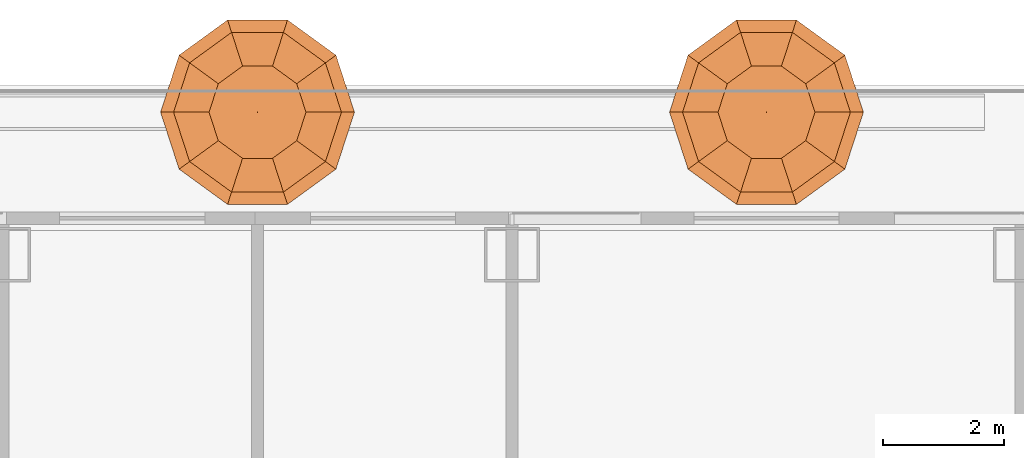
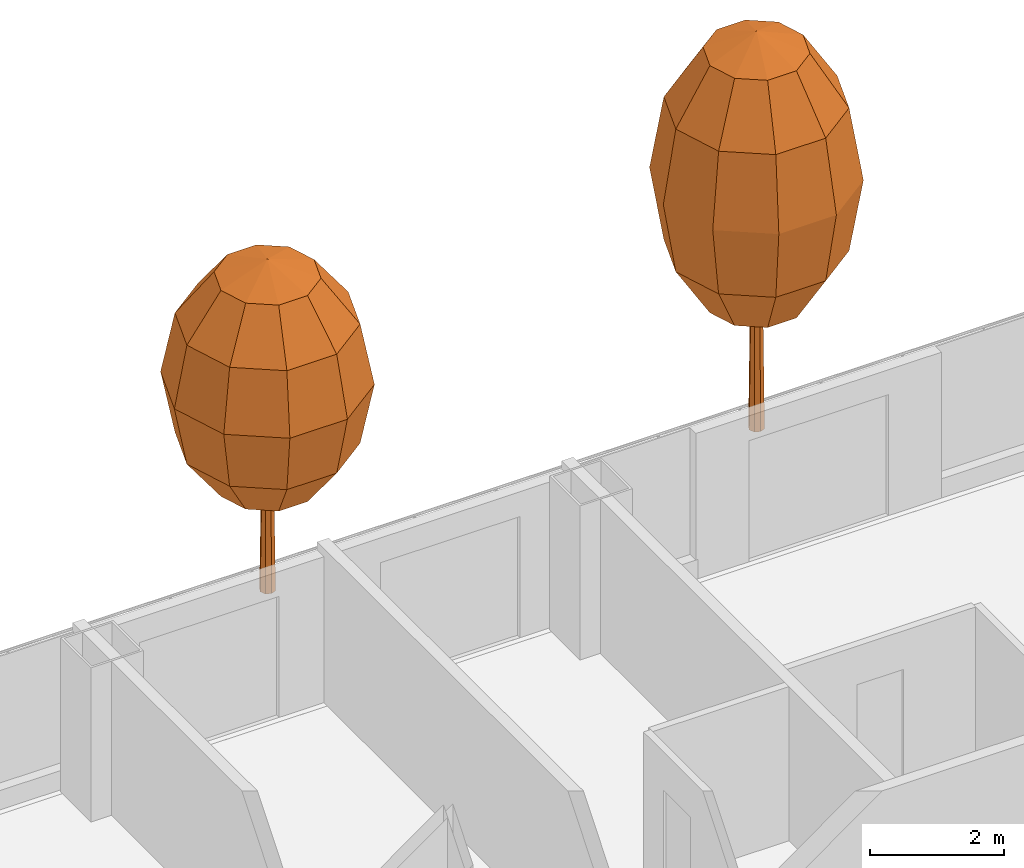
# One storey, part 36 of 36: 2 geographic elements.
"""IFC4 building model written with IfcOpenShell, lengths in metres."""

from ifc_helpers import new_model, si_unit, direction, frame, origin, place, context, subcontext, project, spatial, triangles, material, type_object, element, save


model = new_model("IFC4")

# Units and contexts
model_context = context("Model", 3, precision=1e-05, world=origin(), true_north=direction((0.0, 1.0)))
body_context = subcontext(model_context, "Body", "Model", "MODEL_VIEW")
ifc_project = project(units=[si_unit("LENGTHUNIT", "METRE"), si_unit("AREAUNIT", "SQUARE_METRE"), si_unit("VOLUMEUNIT", "CUBIC_METRE"), si_unit("PLANEANGLEUNIT", "RADIAN"), si_unit("MASSUNIT", "GRAM", prefix="KILO")], contexts=[model_context])

# Site, building, storey
site_placement = place(None, origin())
site = spatial("IfcSite", under=ifc_project, at=site_placement, CompositionType="ELEMENT")
building_placement = place(site_placement, origin())
building = spatial("IfcBuilding", under=site, at=building_placement, Name="Hakoniwa Tower and Hamabe Station Hall", CompositionType="ELEMENT")
storey_placement = place(building_placement, frame((0.0, 0.0, 26.199951171875)))
storey = spatial("IfcBuildingStorey", under=building, at=storey_placement, Name="L06", CompositionType="ELEMENT", Elevation=26.199951171875)

# Geographic elements
ifc_material_1 = material(Name="Tree foliage")
geographic_element_type_1 = type_object("IfcGeographicElementType", Name="Japanese maple 7.2 m", PredefinedType="USERDEFINED", material=ifc_material_1)
geographic_element_1_placement = place(storey_placement, frame((37.800048828125, 21.949951171875, 0.900146484375)))
element("IfcGeographicElement", 1, at=geographic_element_1_placement, inside=storey, type_object=geographic_element_type_1, Name="Japanese maple 7-2 m", ObjectType="TREE", PredefinedType="USERDEFINED", context=body_context, shape_type="Tessellation", body=[
    triangles([(0.125, 0.0, 0.0), (0.08837890625, 0.08837890625, 0.0), (0.0, 0.125, 0.0), (-0.08837890625, 0.08837890625, 0.0), (-0.125, 0.0, 0.0), (-0.08837890625, -0.08837890625, 0.0), (0.0, -0.125, 0.0), (0.08837890625, -0.08837890625, 0.0), (0.074951171875, 0.0, 4.348876953125), (0.052978515625, 0.052978515625, 4.348876953125), (0.0, 0.074951171875, 4.348876953125), (-0.052978515625, 0.052978515625, 4.348876953125), (-0.074951171875, 0.0, 4.348876953125), (-0.052978515625, -0.052978515625, 4.348876953125), (0.0, -0.074951171875, 4.348876953125), (0.052978515625, -0.052978515625, 4.348876953125), (0.0, 0.0, 0.0), (0.0, 0.0, 4.348876953125)], [[1, 2, 10], [1, 10, 9], [17, 2, 1], [18, 9, 10], [2, 3, 11], [2, 11, 10], [17, 3, 2], [18, 10, 11], [3, 4, 12], [3, 12, 11], [17, 4, 3], [18, 11, 12], [4, 5, 13], [4, 13, 12], [17, 5, 4], [18, 12, 13], [5, 6, 14], [5, 14, 13], [17, 6, 5], [18, 13, 14], [6, 7, 15], [6, 15, 14], [17, 7, 6], [18, 14, 15], [7, 8, 16], [7, 16, 15], [17, 8, 7], [18, 15, 16], [8, 1, 9], [8, 9, 16], [17, 1, 8], [18, 16, 9]], closed=True),
    triangles([(0.0, 0.0, 2.015869140625), (0.800048828125, 0.0, 2.36328125), (0.647216796875, 0.47021484375, 2.36328125), (0.247314453125, 0.7607421875, 2.36328125), (-0.247314453125, 0.7607421875, 2.36328125), (-0.647216796875, 0.47021484375, 2.36328125), (-0.800048828125, 0.0, 2.36328125), (-0.647216796875, -0.47021484375, 2.36328125), (-0.247314453125, -0.7607421875, 2.36328125), (0.247314453125, -0.7607421875, 2.36328125), (0.647216796875, -0.47021484375, 2.36328125), (1.385498046875, 0.0, 3.31201171875), (1.12109375, 0.814453125, 3.31201171875), (0.42822265625, 1.31787109375, 3.31201171875), (-0.42822265625, 1.31787109375, 3.31201171875), (-1.12109375, 0.814453125, 3.31201171875), (-1.385498046875, 0.0, 3.31201171875), (-1.12109375, -0.814453125, 3.31201171875), (-0.42822265625, -1.31787109375, 3.31201171875), (0.42822265625, -1.31787109375, 3.31201171875), (1.12109375, -0.814453125, 3.31201171875), (1.60009765625, 0.0, 4.60791015625), (1.29443359375, 0.9404296875, 4.60791015625), (0.494384765625, 1.521728515625, 4.60791015625), (-0.494384765625, 1.521728515625, 4.60791015625), (-1.29443359375, 0.9404296875, 4.60791015625), (-1.60009765625, 0.0, 4.60791015625), (-1.29443359375, -0.9404296875, 4.60791015625), (-0.494384765625, -1.521728515625, 4.60791015625), (0.494384765625, -1.521728515625, 4.60791015625), (1.29443359375, -0.9404296875, 4.60791015625), (1.385498046875, 0.0, 5.904052734375), (1.12109375, 0.814453125, 5.904052734375), (0.42822265625, 1.31787109375, 5.904052734375), (-0.42822265625, 1.31787109375, 5.904052734375), (-1.12109375, 0.814453125, 5.904052734375), (-1.385498046875, 0.0, 5.904052734375), (-1.12109375, -0.814453125, 5.904052734375), (-0.42822265625, -1.31787109375, 5.904052734375), (0.42822265625, -1.31787109375, 5.904052734375), (1.12109375, -0.814453125, 5.904052734375), (0.800048828125, 0.0, 6.852783203125), (0.647216796875, 0.47021484375, 6.852783203125), (0.247314453125, 0.7607421875, 6.852783203125), (-0.247314453125, 0.7607421875, 6.852783203125), (-0.647216796875, 0.47021484375, 6.852783203125), (-0.800048828125, 0.0, 6.852783203125), (-0.647216796875, -0.47021484375, 6.852783203125), (-0.247314453125, -0.7607421875, 6.852783203125), (0.247314453125, -0.7607421875, 6.852783203125), (0.647216796875, -0.47021484375, 6.852783203125), (0.0, 0.0, 7.199951171875)], [[1, 3, 2], [1, 4, 3], [1, 5, 4], [1, 6, 5], [1, 7, 6], [1, 8, 7], [1, 9, 8], [1, 10, 9], [1, 11, 10], [1, 2, 11], [2, 3, 13], [2, 13, 12], [3, 4, 14], [3, 14, 13], [4, 5, 15], [4, 15, 14], [5, 6, 16], [5, 16, 15], [6, 7, 17], [6, 17, 16], [7, 8, 18], [7, 18, 17], [8, 9, 19], [8, 19, 18], [9, 10, 20], [9, 20, 19], [10, 11, 21], [10, 21, 20], [11, 2, 12], [11, 12, 21], [12, 13, 23], [12, 23, 22], [13, 14, 24], [13, 24, 23], [14, 15, 25], [14, 25, 24], [15, 16, 26], [15, 26, 25], [16, 17, 27], [16, 27, 26], [17, 18, 28], [17, 28, 27], [18, 19, 29], [18, 29, 28], [19, 20, 30], [19, 30, 29], [20, 21, 31], [20, 31, 30], [21, 12, 22], [21, 22, 31], [22, 23, 33], [22, 33, 32], [23, 24, 34], [23, 34, 33], [24, 25, 35], [24, 35, 34], [25, 26, 36], [25, 36, 35], [26, 27, 37], [26, 37, 36], [27, 28, 38], [27, 38, 37], [28, 29, 39], [28, 39, 38], [29, 30, 40], [29, 40, 39], [30, 31, 41], [30, 41, 40], [31, 22, 32], [31, 32, 41], [32, 33, 43], [32, 43, 42], [33, 34, 44], [33, 44, 43], [34, 35, 45], [34, 45, 44], [35, 36, 46], [35, 46, 45], [36, 37, 47], [36, 47, 46], [37, 38, 48], [37, 48, 47], [38, 39, 49], [38, 49, 48], [39, 40, 50], [39, 50, 49], [40, 41, 51], [40, 51, 50], [41, 32, 42], [41, 42, 51], [52, 42, 43], [52, 43, 44], [52, 44, 45], [52, 45, 46], [52, 46, 47], [52, 47, 48], [52, 48, 49], [52, 49, 50], [52, 50, 51], [52, 51, 42]], closed=True),
])
ifc_material_2 = material(Name="Tree foliage")
geographic_element_type_2 = type_object("IfcGeographicElementType", Name="Osmanthus 6.0 m", PredefinedType="USERDEFINED", material=ifc_material_2)
geographic_element_2_placement = place(storey_placement, frame((29.39990234375, 21.949951171875, 0.900146484375)))
element("IfcGeographicElement", 2, at=geographic_element_2_placement, inside=storey, type_object=geographic_element_type_2, Name="Osmanthus 6-0 m", ObjectType="TREE", PredefinedType="USERDEFINED", context=body_context, shape_type="Tessellation", body=[
    triangles([(0.125, 0.0, 0.0), (0.08837890625, 0.08837890625, 0.0), (0.0, 0.125, 0.0), (-0.08837890625, 0.08837890625, 0.0), (-0.125, 0.0, 0.0), (-0.08837890625, -0.08837890625, 0.0), (0.0, -0.125, 0.0), (0.08837890625, -0.08837890625, 0.0), (0.074951171875, 0.0, 3.6240234375), (0.052978515625, 0.052978515625, 3.6240234375), (0.0, 0.074951171875, 3.6240234375), (-0.052978515625, 0.052978515625, 3.6240234375), (-0.074951171875, 0.0, 3.6240234375), (-0.052978515625, -0.052978515625, 3.6240234375), (0.0, -0.074951171875, 3.6240234375), (0.052978515625, -0.052978515625, 3.6240234375), (0.0, 0.0, 0.0), (0.0, 0.0, 3.6240234375)], [[1, 2, 10], [1, 10, 9], [17, 2, 1], [18, 9, 10], [2, 3, 11], [2, 11, 10], [17, 3, 2], [18, 10, 11], [3, 4, 12], [3, 12, 11], [17, 4, 3], [18, 11, 12], [4, 5, 13], [4, 13, 12], [17, 5, 4], [18, 12, 13], [5, 6, 14], [5, 14, 13], [17, 6, 5], [18, 13, 14], [6, 7, 15], [6, 15, 14], [17, 7, 6], [18, 14, 15], [7, 8, 16], [7, 16, 15], [17, 8, 7], [18, 15, 16], [8, 1, 9], [8, 9, 16], [17, 1, 8], [18, 16, 9]], closed=True),
    triangles([(0.0, 0.0, 1.679931640625), (0.800048828125, 0.0, 1.969482421875), (0.647216796875, 0.47021484375, 1.969482421875), (0.247314453125, 0.7607421875, 1.969482421875), (-0.247314453125, 0.7607421875, 1.969482421875), (-0.647216796875, 0.47021484375, 1.969482421875), (-0.800048828125, 0.0, 1.969482421875), (-0.647216796875, -0.47021484375, 1.969482421875), (-0.247314453125, -0.7607421875, 1.969482421875), (0.247314453125, -0.7607421875, 1.969482421875), (0.647216796875, -0.47021484375, 1.969482421875), (1.385498046875, 0.0, 2.760009765625), (1.12109375, 0.814453125, 2.760009765625), (0.42822265625, 1.31787109375, 2.760009765625), (-0.42822265625, 1.31787109375, 2.760009765625), (-1.12109375, 0.814453125, 2.760009765625), (-1.385498046875, 0.0, 2.760009765625), (-1.12109375, -0.814453125, 2.760009765625), (-0.42822265625, -1.31787109375, 2.760009765625), (0.42822265625, -1.31787109375, 2.760009765625), (1.12109375, -0.814453125, 2.760009765625), (1.60009765625, 0.0, 3.840087890625), (1.29443359375, 0.9404296875, 3.840087890625), (0.494384765625, 1.521728515625, 3.840087890625), (-0.494384765625, 1.521728515625, 3.840087890625), (-1.29443359375, 0.9404296875, 3.840087890625), (-1.60009765625, 0.0, 3.840087890625), (-1.29443359375, -0.9404296875, 3.840087890625), (-0.494384765625, -1.521728515625, 3.840087890625), (0.494384765625, -1.521728515625, 3.840087890625), (1.29443359375, -0.9404296875, 3.840087890625), (1.385498046875, 0.0, 4.919921875), (1.12109375, 0.814453125, 4.919921875), (0.42822265625, 1.31787109375, 4.919921875), (-0.42822265625, 1.31787109375, 4.919921875), (-1.12109375, 0.814453125, 4.919921875), (-1.385498046875, 0.0, 4.919921875), (-1.12109375, -0.814453125, 4.919921875), (-0.42822265625, -1.31787109375, 4.919921875), (0.42822265625, -1.31787109375, 4.919921875), (1.12109375, -0.814453125, 4.919921875), (0.800048828125, 0.0, 5.710693359375), (0.647216796875, 0.47021484375, 5.710693359375), (0.247314453125, 0.7607421875, 5.710693359375), (-0.247314453125, 0.7607421875, 5.710693359375), (-0.647216796875, 0.47021484375, 5.710693359375), (-0.800048828125, 0.0, 5.710693359375), (-0.647216796875, -0.47021484375, 5.710693359375), (-0.247314453125, -0.7607421875, 5.710693359375), (0.247314453125, -0.7607421875, 5.710693359375), (0.647216796875, -0.47021484375, 5.710693359375), (0.0, 0.0, 6.0)], [[1, 3, 2], [1, 4, 3], [1, 5, 4], [1, 6, 5], [1, 7, 6], [1, 8, 7], [1, 9, 8], [1, 10, 9], [1, 11, 10], [1, 2, 11], [2, 3, 13], [2, 13, 12], [3, 4, 14], [3, 14, 13], [4, 5, 15], [4, 15, 14], [5, 6, 16], [5, 16, 15], [6, 7, 17], [6, 17, 16], [7, 8, 18], [7, 18, 17], [8, 9, 19], [8, 19, 18], [9, 10, 20], [9, 20, 19], [10, 11, 21], [10, 21, 20], [11, 2, 12], [11, 12, 21], [12, 13, 23], [12, 23, 22], [13, 14, 24], [13, 24, 23], [14, 15, 25], [14, 25, 24], [15, 16, 26], [15, 26, 25], [16, 17, 27], [16, 27, 26], [17, 18, 28], [17, 28, 27], [18, 19, 29], [18, 29, 28], [19, 20, 30], [19, 30, 29], [20, 21, 31], [20, 31, 30], [21, 12, 22], [21, 22, 31], [22, 23, 33], [22, 33, 32], [23, 24, 34], [23, 34, 33], [24, 25, 35], [24, 35, 34], [25, 26, 36], [25, 36, 35], [26, 27, 37], [26, 37, 36], [27, 28, 38], [27, 38, 37], [28, 29, 39], [28, 39, 38], [29, 30, 40], [29, 40, 39], [30, 31, 41], [30, 41, 40], [31, 22, 32], [31, 32, 41], [32, 33, 43], [32, 43, 42], [33, 34, 44], [33, 44, 43], [34, 35, 45], [34, 45, 44], [35, 36, 46], [35, 46, 45], [36, 37, 47], [36, 47, 46], [37, 38, 48], [37, 48, 47], [38, 39, 49], [38, 49, 48], [39, 40, 50], [39, 50, 49], [40, 41, 51], [40, 51, 50], [41, 32, 42], [41, 42, 51], [52, 42, 43], [52, 43, 44], [52, 44, 45], [52, 45, 46], [52, 46, 47], [52, 47, 48], [52, 48, 49], [52, 49, 50], [52, 50, 51], [52, 51, 42]], closed=True),
])

save(model, "model.ifc")
